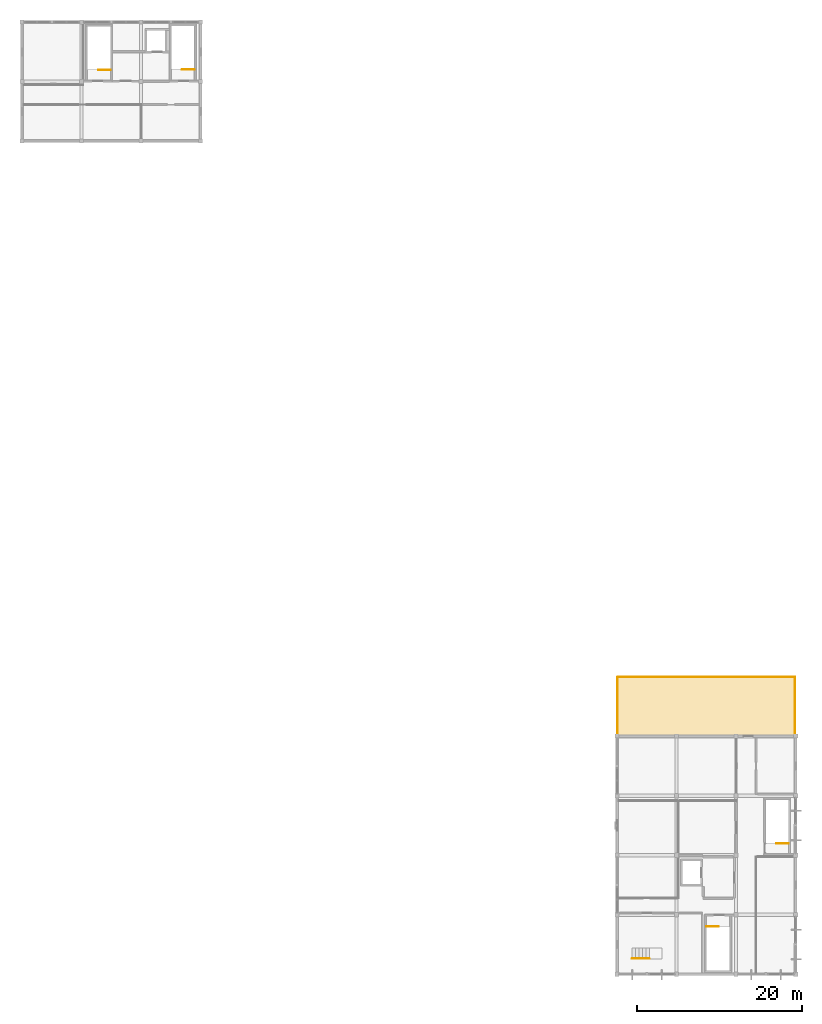
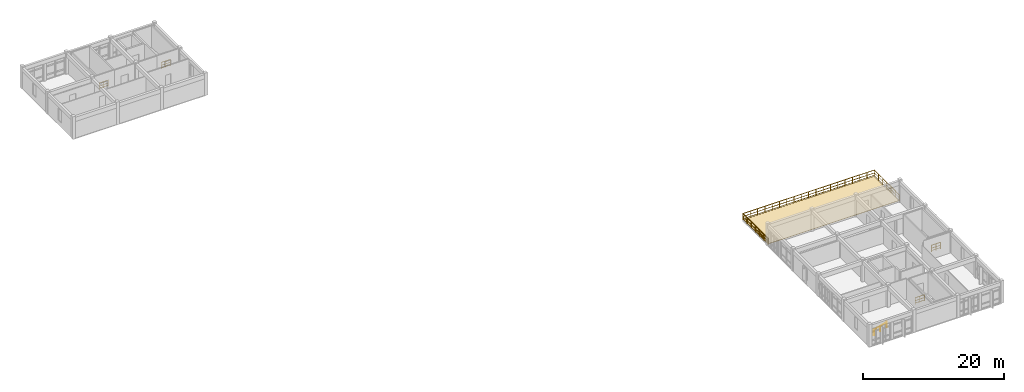
# One storey, part 14 of 14: 8 railings, 1 covering.
"""IFC4 building model written with IfcOpenShell, lengths in metres."""

from ifc_helpers import new_model, si_unit, direction, frame, origin, origin_2d, place, context, subcontext, project, spatial, polyline, circle, outline, extrude, material, layer, layer_set, type_object, element, save


model = new_model("IFC4")

# Units and contexts
model_context = context("Model", 3, precision=1e-05, world=origin(), true_north=direction((0.0, 1.0)))
body_context = subcontext(model_context, "Body", "Model", "MODEL_VIEW")
ifc_project = project(units=[si_unit("LENGTHUNIT", "METRE"), si_unit("AREAUNIT", "SQUARE_METRE"), si_unit("VOLUMEUNIT", "CUBIC_METRE"), si_unit("PLANEANGLEUNIT", "RADIAN"), si_unit("MASSUNIT", "GRAM", prefix="KILO")], contexts=[model_context])

# Site, building, storey
site_placement = place(None, origin())
site = spatial("IfcSite", under=ifc_project, at=site_placement, CompositionType="ELEMENT")
building_placement = place(site_placement, origin())
building = spatial("IfcBuilding", under=site, at=building_placement, Name="Koriwan Promenade Central Fire Station", CompositionType="ELEMENT")
storey_placement = place(building_placement, frame((0.0, 0.0, 21.300048828125)))
storey = spatial("IfcBuildingStorey", under=building, at=storey_placement, Name="L05", CompositionType="ELEMENT", Elevation=21.300048828125)

# Covering
ifc_material_1 = material(Name="Waterproofed xerophytic roof-garden drainage build-up", Category="membrane")
ifc_layer_1 = layer(ifc_material_1, 0.06005859375, Name="Waterproofed xerophytic roof-garden drainage build-up")
ifc_layer_set_1 = layer_set([ifc_layer_1], Name="Waterproofed xerophytic roof-garden drainage build-up")
covering_type = type_object("IfcCoveringType", Name="RoofCovering_Garden", PredefinedType="ROOFING", material=ifc_layer_set_1)
covering_placement = place(storey_placement, origin())
element("IfcCovering", 1, at=covering_placement, inside=storey, type_object=covering_type, Name="Upper Chhajja Roof Terrace waterproofed garden build-up", PredefinedType="ROOFING", context=body_context, shape_type="SweptSolid", body=[
    extrude(outline(polyline([(172.679931640625, 28.919921875), (151.320068359375, 28.919921875), (151.320068359375, 35.8798828125), (172.679931640625, 35.8798828125), (172.679931640625, 28.919921875)])), origin(), (0.0, 0.0, 1.0), 0.06005859375),
])

# Railings
ifc_material_2 = material(Name="Steel ASTM A500 Grade C", Category="steel")
ifc_layer_2 = layer(ifc_material_2, 0.050048828125, Name="Steel ASTM A500 Grade C")
ifc_layer_set_2 = layer_set([ifc_layer_2], Name="Steel ASTM A500 Grade C")
railing_type_1 = type_object("IfcRailingType", Name="StairGuard_1100", PredefinedType="BALUSTRADE", material=ifc_layer_set_2)
railing_1_placement = place(storey_placement, frame((100.050048828125, 109.43994140625, 0.0)))
element("IfcRailing", 2, at=railing_1_placement, inside=storey, type_object=railing_type_1, Name="L05 ST04 top well guard 1", PredefinedType="BALUSTRADE", context=body_context, shape_type="SweptSolid", body=[
    extrude(circle(Radius=0.02392578125, at=origin_2d()), frame((0.0, 0.0, 1.076171875), z_axis=(-1.0, 0.0, 0.0), x_axis=(0.0, -1.0, 0.0)), (0.0, 0.0, 1.0), 1.489990234375),
    extrude(circle(Radius=0.012939453125, at=origin_2d()), frame((0.0, 0.0, 0.572021484375), z_axis=(-1.0, 0.0, 0.0), x_axis=(0.0, -1.0, 0.0)), (0.0, 0.0, 1.0), 1.489990234375),
    extrude(circle(Radius=0.012939453125, at=origin_2d()), frame((0.0, 0.0, 0.154052734375), z_axis=(-1.0, 0.0, 0.0), x_axis=(0.0, -1.0, 0.0)), (0.0, 0.0, 1.0), 1.489990234375),
    extrude(circle(Radius=0.02099609375, at=origin_2d()), origin(), (0.0, 0.0, 1.0), 1.052001953125),
    extrude(circle(Radius=0.02099609375, at=origin_2d()), frame((-0.7451171875, 0.0, 0.0)), (0.0, 0.0, 1.0), 1.052001953125),
    extrude(circle(Radius=0.02099609375, at=origin_2d()), frame((-1.489990234375, 0.0, 0.0)), (0.0, 0.0, 1.0), 1.052001953125),
])
railing_2_placement = place(storey_placement, frame((89.89990234375, 109.419921875, 0.0)))
element("IfcRailing", 3, at=railing_2_placement, inside=storey, type_object=railing_type_1, Name="L05 ST09 top well guard 1", PredefinedType="BALUSTRADE", context=body_context, shape_type="SweptSolid", body=[
    extrude(circle(Radius=0.02392578125, at=origin_2d()), frame((0.0, 0.0, 1.076171875), z_axis=(-1.0, 0.0, 0.0), x_axis=(0.0, -1.0, 0.0)), (0.0, 0.0, 1.0), 1.469970703125),
    extrude(circle(Radius=0.012939453125, at=origin_2d()), frame((0.0, 0.0, 0.572021484375), z_axis=(-1.0, 0.0, 0.0), x_axis=(0.0, -1.0, 0.0)), (0.0, 0.0, 1.0), 1.469970703125),
    extrude(circle(Radius=0.012939453125, at=origin_2d()), frame((0.0, 0.0, 0.154052734375), z_axis=(-1.0, 0.0, 0.0), x_axis=(0.0, -1.0, 0.0)), (0.0, 0.0, 1.0), 1.469970703125),
    extrude(circle(Radius=0.02099609375, at=origin_2d()), origin(), (0.0, 0.0, 1.0), 1.052001953125),
    extrude(circle(Radius=0.02099609375, at=origin_2d()), frame((-0.73486328125, 0.0, 0.0)), (0.0, 0.0, 1.0), 1.052001953125),
    extrude(circle(Radius=0.02099609375, at=origin_2d()), frame((-1.469970703125, 0.0, 0.0)), (0.0, 0.0, 1.0), 1.052001953125),
])
railing_3_placement = place(storey_placement, frame((162.0, 5.75, 0.0)))
element("IfcRailing", 4, at=railing_3_placement, inside=storey, type_object=railing_type_1, Name="L05 ST22 top well guard 1", PredefinedType="BALUSTRADE", context=body_context, shape_type="SweptSolid", body=[
    extrude(circle(Radius=0.02392578125, at=origin_2d()), frame((0.0, 0.0, 1.076171875), z_axis=(1.0, 0.0, 0.0), x_axis=(0.0, 1.0, 0.0)), (0.0, 0.0, 1.0), 1.5),
    extrude(circle(Radius=0.012939453125, at=origin_2d()), frame((0.0, 0.0, 0.572021484375), z_axis=(1.0, 0.0, 0.0), x_axis=(0.0, 1.0, 0.0)), (0.0, 0.0, 1.0), 1.5),
    extrude(circle(Radius=0.012939453125, at=origin_2d()), frame((0.0, 0.0, 0.154052734375), z_axis=(1.0, 0.0, 0.0), x_axis=(0.0, 1.0, 0.0)), (0.0, 0.0, 1.0), 1.5),
    extrude(circle(Radius=0.02099609375, at=origin_2d()), origin(), (0.0, 0.0, 1.0), 1.052001953125),
    extrude(circle(Radius=0.02099609375, at=origin_2d()), frame((0.75, 0.0, 0.0)), (0.0, 0.0, 1.0), 1.052001953125),
    extrude(circle(Radius=0.02099609375, at=origin_2d()), frame((1.5, 0.0, 0.0)), (0.0, 0.0, 1.0), 1.052001953125),
])
railing_4_placement = place(storey_placement, frame((171.949951171875, 15.820068359375, 0.0)))
element("IfcRailing", 5, at=railing_4_placement, inside=storey, type_object=railing_type_1, Name="L05 ST27 top well guard 1", PredefinedType="BALUSTRADE", context=body_context, shape_type="SweptSolid", body=[
    extrude(circle(Radius=0.02392578125, at=origin_2d()), frame((0.0, 0.0, 1.076171875), z_axis=(-1.0, 0.0, 0.0), x_axis=(0.0, -1.0, 0.0)), (0.0, 0.0, 1.0), 1.469970703125),
    extrude(circle(Radius=0.012939453125, at=origin_2d()), frame((0.0, 0.0, 0.572021484375), z_axis=(-1.0, 0.0, 0.0), x_axis=(0.0, -1.0, 0.0)), (0.0, 0.0, 1.0), 1.469970703125),
    extrude(circle(Radius=0.012939453125, at=origin_2d()), frame((0.0, 0.0, 0.154052734375), z_axis=(-1.0, 0.0, 0.0), x_axis=(0.0, -1.0, 0.0)), (0.0, 0.0, 1.0), 1.469970703125),
    extrude(circle(Radius=0.02099609375, at=origin_2d()), origin(), (0.0, 0.0, 1.0), 1.052001953125),
    extrude(circle(Radius=0.02099609375, at=origin_2d()), frame((-0.73486328125, 0.0, 0.0)), (0.0, 0.0, 1.0), 1.052001953125),
    extrude(circle(Radius=0.02099609375, at=origin_2d()), frame((-1.469970703125, 0.0, 0.0)), (0.0, 0.0, 1.0), 1.052001953125),
])
ifc_material_3 = material(Name="Stainless steel 316 tubular handrail", Category="steel")
ifc_layer_3 = layer(ifc_material_3, 0.048095703125, Name="Stainless steel 316 tubular handrail")
ifc_layer_set_3 = layer_set([ifc_layer_3], Name="Stainless steel 316 tubular handrail")
railing_type_2 = type_object("IfcRailingType", Name="StairHandrail_900", PredefinedType="HANDRAIL", material=ifc_layer_set_3)
railing_5_placement = place(storey_placement, frame((153.0, 1.8798828125, 0.125)))
element("IfcRailing", 6, at=railing_5_placement, inside=storey, type_object=railing_type_2, Name="DAIS_V5_BRF dais handrail", PredefinedType="HANDRAIL", context=body_context, shape_type="SweptSolid", body=[
    extrude(circle(Radius=0.02392578125, at=origin_2d()), frame((0.0, 0.0, 0.8759765625), z_axis=(0.958455704924, 0.0, 0.28524140951), x_axis=(0.0, 1.0, 0.0)), (0.0, 0.0, 1.0), 2.191162109375),
    extrude(circle(Radius=0.02099609375, at=origin_2d()), origin(), (0.0, 0.0, 1.0), 0.851806640625),
    extrude(circle(Radius=0.02099609375, at=origin_2d()), frame((1.050048828125, 0.0, 0.3125)), (0.0, 0.0, 1.0), 0.851806640625),
    extrude(circle(Radius=0.02099609375, at=origin_2d()), frame((2.10009765625, 0.0, 0.625)), (0.0, 0.0, 1.0), 0.851806640625),
])
ifc_layer_4 = layer(ifc_material_2, 0.06005859375, Name="Steel ASTM A500 Grade C")
ifc_layer_set_4 = layer_set([ifc_layer_4], Name="Steel ASTM A500 Grade C")
railing_type_3 = type_object("IfcRailingType", Name="TerraceGuard_1100", PredefinedType="BALUSTRADE", material=ifc_layer_set_4)
railing_6_placement = place(storey_placement, frame((151.260009765625, 28.860107421875, 0.0)))
element("IfcRailing", 7, at=railing_6_placement, inside=storey, type_object=railing_type_3, Name="Upper Chhajja Roof Terrace protective balustrade 026", PredefinedType="BALUSTRADE", context=body_context, shape_type="SweptSolid", body=[
    extrude(circle(Radius=0.02392578125, at=origin_2d()), frame((0.0, 0.0, 1.076171875), z_axis=(0.0, 1.0, 0.0), x_axis=(-1.0, 0.0, 0.0)), (0.0, 0.0, 1.0), 7.079833984375),
    extrude(circle(Radius=0.012939453125, at=origin_2d()), frame((0.0, 0.0, 0.572021484375), z_axis=(0.0, 1.0, 0.0), x_axis=(-1.0, 0.0, 0.0)), (0.0, 0.0, 1.0), 7.079833984375),
    extrude(circle(Radius=0.012939453125, at=origin_2d()), frame((0.0, 0.0, 0.154052734375), z_axis=(0.0, 1.0, 0.0), x_axis=(-1.0, 0.0, 0.0)), (0.0, 0.0, 1.0), 7.079833984375),
    extrude(circle(Radius=0.02099609375, at=origin_2d()), origin(), (0.0, 0.0, 1.0), 1.052001953125),
    extrude(circle(Radius=0.02099609375, at=origin_2d()), frame((0.0, 1.179931640625, 0.0)), (0.0, 0.0, 1.0), 1.052001953125),
    extrude(circle(Radius=0.02099609375, at=origin_2d()), frame((0.0, 2.35986328125, 0.0)), (0.0, 0.0, 1.0), 1.052001953125),
    extrude(circle(Radius=0.02099609375, at=origin_2d()), frame((0.0, 3.5400390625, 0.0)), (0.0, 0.0, 1.0), 1.052001953125),
    extrude(circle(Radius=0.02099609375, at=origin_2d()), frame((0.0, 4.719970703125, 0.0)), (0.0, 0.0, 1.0), 1.052001953125),
    extrude(circle(Radius=0.02099609375, at=origin_2d()), frame((0.0, 5.89990234375, 0.0)), (0.0, 0.0, 1.0), 1.052001953125),
    extrude(circle(Radius=0.02099609375, at=origin_2d()), frame((0.0, 7.079833984375, 0.0)), (0.0, 0.0, 1.0), 1.052001953125),
])
railing_7_placement = place(storey_placement, frame((151.260009765625, 35.93994140625, 0.0)))
element("IfcRailing", 8, at=railing_7_placement, inside=storey, type_object=railing_type_3, Name="Upper Chhajja Roof Terrace protective balustrade 027", PredefinedType="BALUSTRADE", context=body_context, shape_type="SweptSolid", body=[
    extrude(circle(Radius=0.02392578125, at=origin_2d()), frame((0.0, 0.0, 1.076171875), z_axis=(1.0, 0.0, 0.0), x_axis=(0.0, 1.0, 0.0)), (0.0, 0.0, 1.0), 21.47998046875),
    extrude(circle(Radius=0.012939453125, at=origin_2d()), frame((0.0, 0.0, 0.572021484375), z_axis=(1.0, 0.0, 0.0), x_axis=(0.0, 1.0, 0.0)), (0.0, 0.0, 1.0), 21.47998046875),
    extrude(circle(Radius=0.012939453125, at=origin_2d()), frame((0.0, 0.0, 0.154052734375), z_axis=(1.0, 0.0, 0.0), x_axis=(0.0, 1.0, 0.0)), (0.0, 0.0, 1.0), 21.47998046875),
    extrude(circle(Radius=0.02099609375, at=origin_2d()), origin(), (0.0, 0.0, 1.0), 1.052001953125),
    extrude(circle(Radius=0.02099609375, at=origin_2d()), frame((1.193359375, 0.0, 0.0)), (0.0, 0.0, 1.0), 1.052001953125),
    extrude(circle(Radius=0.02099609375, at=origin_2d()), frame((2.38671875, 0.0, 0.0)), (0.0, 0.0, 1.0), 1.052001953125),
    extrude(circle(Radius=0.02099609375, at=origin_2d()), frame((3.580078125, 0.0, 0.0)), (0.0, 0.0, 1.0), 1.052001953125),
    extrude(circle(Radius=0.02099609375, at=origin_2d()), frame((4.7734375, 0.0, 0.0)), (0.0, 0.0, 1.0), 1.052001953125),
    extrude(circle(Radius=0.02099609375, at=origin_2d()), frame((5.966552734375, 0.0, 0.0)), (0.0, 0.0, 1.0), 1.052001953125),
    extrude(circle(Radius=0.02099609375, at=origin_2d()), frame((7.159912109375, 0.0, 0.0)), (0.0, 0.0, 1.0), 1.052001953125),
    extrude(circle(Radius=0.02099609375, at=origin_2d()), frame((8.353271484375, 0.0, 0.0)), (0.0, 0.0, 1.0), 1.052001953125),
    extrude(circle(Radius=0.02099609375, at=origin_2d()), frame((9.546630859375, 0.0, 0.0)), (0.0, 0.0, 1.0), 1.052001953125),
    extrude(circle(Radius=0.02099609375, at=origin_2d()), frame((10.739990234375, 0.0, 0.0)), (0.0, 0.0, 1.0), 1.052001953125),
    extrude(circle(Radius=0.02099609375, at=origin_2d()), frame((11.933349609375, 0.0, 0.0)), (0.0, 0.0, 1.0), 1.052001953125),
    extrude(circle(Radius=0.02099609375, at=origin_2d()), frame((13.126708984375, 0.0, 0.0)), (0.0, 0.0, 1.0), 1.052001953125),
    extrude(circle(Radius=0.02099609375, at=origin_2d()), frame((14.320068359375, 0.0, 0.0)), (0.0, 0.0, 1.0), 1.052001953125),
    extrude(circle(Radius=0.02099609375, at=origin_2d()), frame((15.513427734375, 0.0, 0.0)), (0.0, 0.0, 1.0), 1.052001953125),
    extrude(circle(Radius=0.02099609375, at=origin_2d()), frame((16.70654296875, 0.0, 0.0)), (0.0, 0.0, 1.0), 1.052001953125),
    extrude(circle(Radius=0.02099609375, at=origin_2d()), frame((17.89990234375, 0.0, 0.0)), (0.0, 0.0, 1.0), 1.052001953125),
    extrude(circle(Radius=0.02099609375, at=origin_2d()), frame((19.09326171875, 0.0, 0.0)), (0.0, 0.0, 1.0), 1.052001953125),
    extrude(circle(Radius=0.02099609375, at=origin_2d()), frame((20.28662109375, 0.0, 0.0)), (0.0, 0.0, 1.0), 1.052001953125),
    extrude(circle(Radius=0.02099609375, at=origin_2d()), frame((21.47998046875, 0.0, 0.0)), (0.0, 0.0, 1.0), 1.052001953125),
])
railing_8_placement = place(storey_placement, frame((172.739990234375, 35.93994140625, 0.0)))
element("IfcRailing", 9, at=railing_8_placement, inside=storey, type_object=railing_type_3, Name="Upper Chhajja Roof Terrace protective balustrade 028", PredefinedType="BALUSTRADE", context=body_context, shape_type="SweptSolid", body=[
    extrude(circle(Radius=0.02392578125, at=origin_2d()), frame((0.0, 0.0, 1.076171875), z_axis=(0.0, -1.0, 0.0), x_axis=(1.0, 0.0, 0.0)), (0.0, 0.0, 1.0), 7.079833984375),
    extrude(circle(Radius=0.012939453125, at=origin_2d()), frame((0.0, 0.0, 0.572021484375), z_axis=(0.0, -1.0, 0.0), x_axis=(1.0, 0.0, 0.0)), (0.0, 0.0, 1.0), 7.079833984375),
    extrude(circle(Radius=0.012939453125, at=origin_2d()), frame((0.0, 0.0, 0.154052734375), z_axis=(0.0, -1.0, 0.0), x_axis=(1.0, 0.0, 0.0)), (0.0, 0.0, 1.0), 7.079833984375),
    extrude(circle(Radius=0.02099609375, at=origin_2d()), origin(), (0.0, 0.0, 1.0), 1.052001953125),
    extrude(circle(Radius=0.02099609375, at=origin_2d()), frame((0.0, -1.179931640625, 0.0)), (0.0, 0.0, 1.0), 1.052001953125),
    extrude(circle(Radius=0.02099609375, at=origin_2d()), frame((0.0, -2.35986328125, 0.0)), (0.0, 0.0, 1.0), 1.052001953125),
    extrude(circle(Radius=0.02099609375, at=origin_2d()), frame((0.0, -3.5400390625, 0.0)), (0.0, 0.0, 1.0), 1.052001953125),
    extrude(circle(Radius=0.02099609375, at=origin_2d()), frame((0.0, -4.719970703125, 0.0)), (0.0, 0.0, 1.0), 1.052001953125),
    extrude(circle(Radius=0.02099609375, at=origin_2d()), frame((0.0, -5.89990234375, 0.0)), (0.0, 0.0, 1.0), 1.052001953125),
    extrude(circle(Radius=0.02099609375, at=origin_2d()), frame((0.0, -7.079833984375, 0.0)), (0.0, 0.0, 1.0), 1.052001953125),
])

save(model, "model.ifc")
